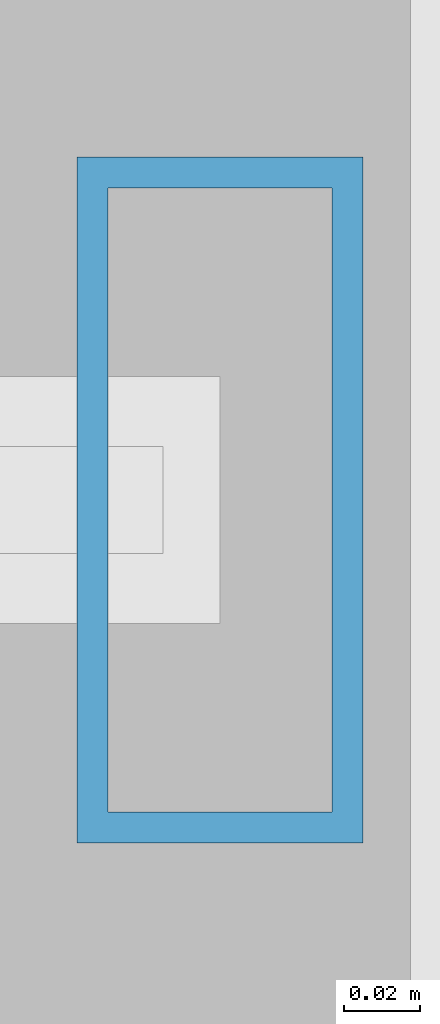
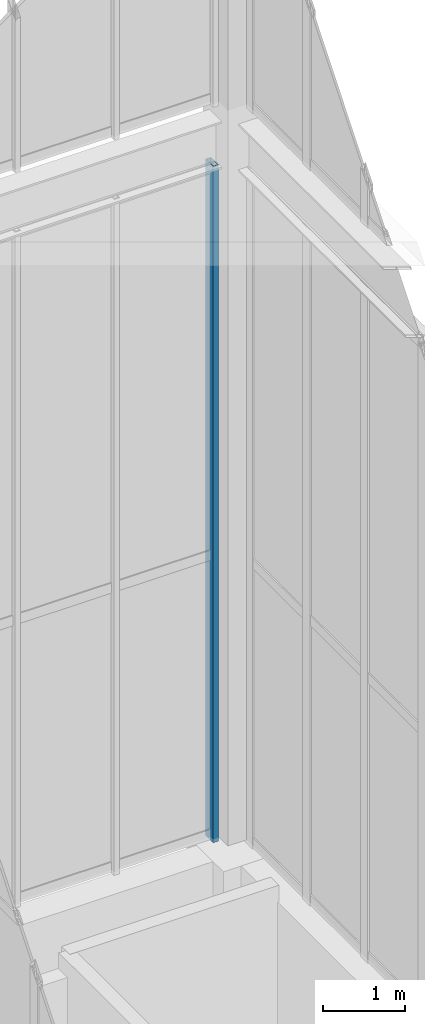
# One storey, part 119 of 135: 1 member, 1 element without a shape of its own.
"""IFC4 building model written with IfcOpenShell, lengths in metres."""

from ifc_helpers import new_model, si_unit, direction, frame, origin, origin_2d, place, context, subcontext, project, spatial, hollow_rectangle, extrude, source, transform, mapped, material, layer, layer_set, material_profile, profile_set, type_object, element, aggregate, save


model = new_model("IFC4")

# Units and contexts
model_context = context("Model", 3, precision=1e-05, world=origin(), true_north=direction((0.0, 1.0)))
body_context = subcontext(model_context, "Body", "Model", "MODEL_VIEW")
ifc_project = project(units=[si_unit("LENGTHUNIT", "METRE"), si_unit("AREAUNIT", "SQUARE_METRE"), si_unit("VOLUMEUNIT", "CUBIC_METRE"), si_unit("PLANEANGLEUNIT", "RADIAN"), si_unit("MASSUNIT", "GRAM", prefix="KILO")], contexts=[model_context])

# Site, building, storey
site_placement = place(None, origin())
site = spatial("IfcSite", under=ifc_project, at=site_placement, CompositionType="ELEMENT")
building_placement = place(site_placement, origin())
building = spatial("IfcBuilding", under=site, at=building_placement, Name="Giltprow Tower", CompositionType="ELEMENT")
storey_placement = place(building_placement, frame((0.0, 0.0, 352.699951171875)))
storey = spatial("IfcBuildingStorey", under=building, at=storey_placement, Name="L92", CompositionType="ELEMENT", Elevation=352.699951171875)

# Curtain wall, member
ifc_material = material(Name="Anodized bronze", Category="metal")
ifc_layer = layer(ifc_material, 0.179931640625, Name="Anodized bronze")
ifc_layer_set = layer_set([ifc_layer], Name="Anodized bronze")
curtain_wall_type = type_object("IfcCurtainWallType", Name="CW-CROWN-LANTERN", PredefinedType="NOTDEFINED", material=ifc_layer_set)
curtain_wall_placement = place(storey_placement, origin())
curtain_wall = element("IfcCurtainWall", 1, at=curtain_wall_placement, inside=storey, type_object=curtain_wall_type, Name="Crown East Lower Lantern Glazing 4", PredefinedType="NOTDEFINED")
ifc_material_profile = material_profile(ifc_material, hollow_rectangle(XDim=0.074951171875, YDim=0.179931640625, WallThickness=0.008056640625, at=origin_2d()), Name="RHS 180x75x8")
ifc_profile_set = profile_set([ifc_material_profile], Name="Anodized bronze")
member_type = type_object("IfcMemberType", Name="CW-MULLION-180x75", PredefinedType="MULLION", material=ifc_profile_set)
shared_shape = source(origin(), body_context, "Body", "SweptSolid", [
    extrude(hollow_rectangle(XDim=0.074951171875, YDim=0.179931640625, WallThickness=0.008056640625, at=origin_2d()), origin(), (0.0, 0.0, 1.0), 10.030029296875),
])
member_placement = place(storey_placement, frame((50.199951171875, 46.550048828125, 6.35009765625), z_axis=(0.0, 0.0, 1.0), x_axis=(1.0, 0.0, 0.0)))
member = element("IfcMember", 2, at=member_placement, type_object=member_type, Name="Crown East Lower Lantern Glazing 4 Mullion 1", PredefinedType="MULLION", context=body_context, shape_type="MappedRepresentation", body=[
    mapped(shared_shape, transform((0.0, 0.0, 0.0), x_axis=(1.0, 0.0, 0.0), y_axis=(0.0, 1.0, 0.0), z_axis=(0.0, 0.0, 1.0), scale=1.0)),
])
aggregate(curtain_wall, [member])

save(model, "model.ifc")
